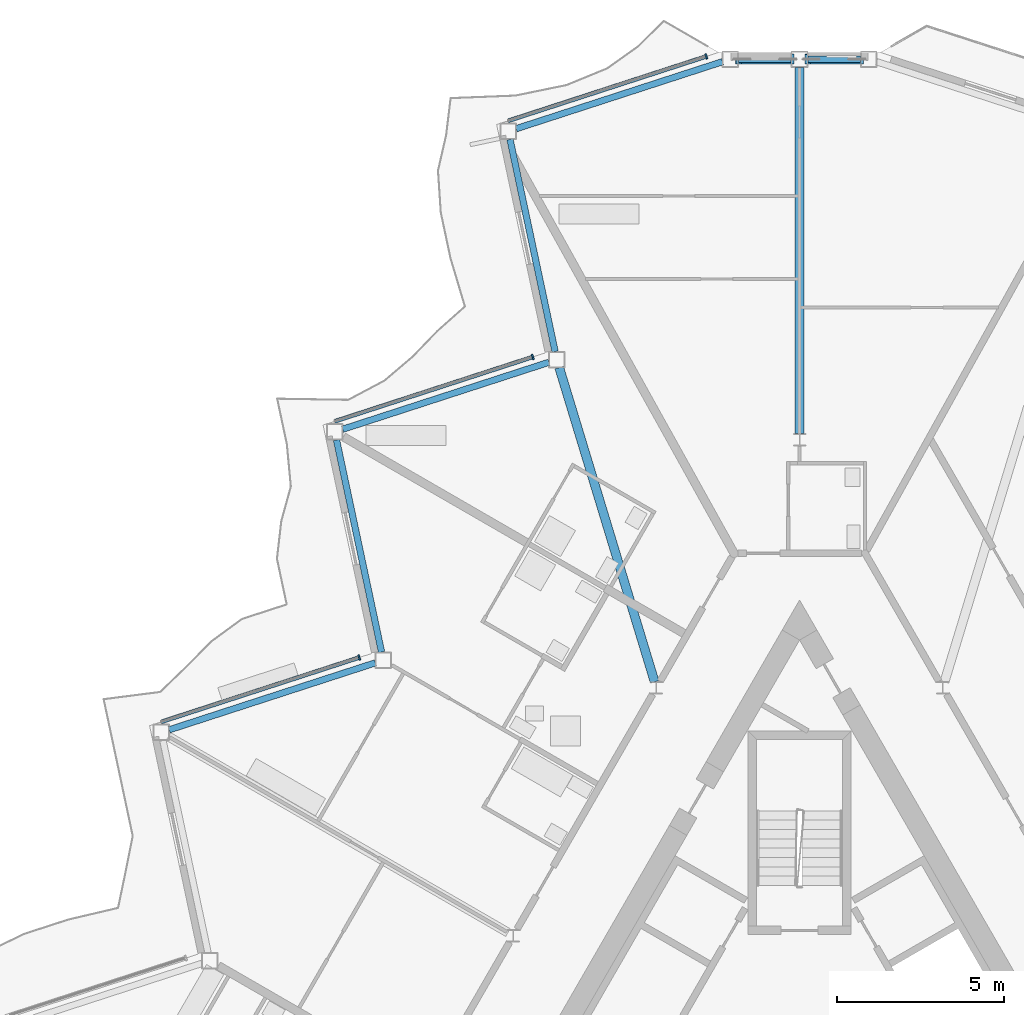
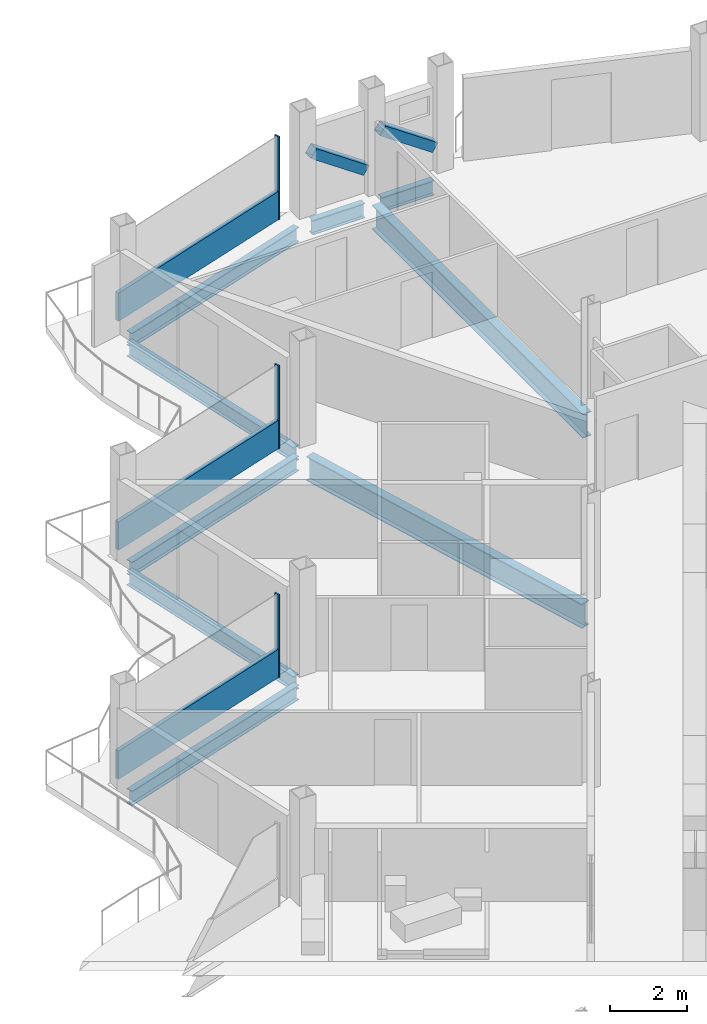
# One storey, part 9 of 26: 9 beams, 8 members, 3 elements without a shape of their own.
"""IFC4 building model written with IfcOpenShell, lengths in metres."""

from ifc_helpers import new_model, si_unit, direction, frame, origin, origin_2d, place, context, subcontext, project, spatial, rectangle, hollow_rectangle, i_section, extrude, material, layer, layer_set, material_profile, profile_set, type_object, element, aggregate, save


model = new_model("IFC4")

# Units and contexts
model_context = context("Model", 3, precision=1e-05, world=origin(), true_north=direction((0.0, 1.0)))
body_context = subcontext(model_context, "Body", "Model", "MODEL_VIEW")
ifc_project = project(units=[si_unit("LENGTHUNIT", "METRE"), si_unit("AREAUNIT", "SQUARE_METRE"), si_unit("VOLUMEUNIT", "CUBIC_METRE"), si_unit("PLANEANGLEUNIT", "RADIAN"), si_unit("MASSUNIT", "GRAM", prefix="KILO")], contexts=[model_context])

# Site, building, storey
site_placement = place(None, origin())
site = spatial("IfcSite", under=ifc_project, at=site_placement, CompositionType="ELEMENT")
building_placement = place(site_placement, origin())
building = spatial("IfcBuilding", under=site, at=building_placement, Name="Cormorant Prow Tower", CompositionType="ELEMENT")
storey_placement = place(building_placement, frame((0.0, 0.0, 388.199951171875)))
storey = spatial("IfcBuildingStorey", under=building, at=storey_placement, Name="L88", CompositionType="ELEMENT", Elevation=388.199951171875)

# Members
ifc_material_1 = material(Name="Structural steel ASTM A500 Gr C", Category="steel")
ifc_material_profile_1 = material_profile(ifc_material_1, hollow_rectangle(XDim=0.3046875, YDim=0.3046875, WallThickness=0.01171875, at=origin_2d()), Name="HSS12x12x1/2")
ifc_profile_set_1 = profile_set([ifc_material_profile_1], Name="Structural steel ASTM A500 Gr C")
member_type_1 = type_object("IfcMemberType", Name="Chamfer brace HSS12x12x1/2", PredefinedType="BRACE", material=ifc_profile_set_1)
for number, where, z_axis, x_axis, name in (
    (1, (1.8271484375, 31.219482421875, 0.770751953125), (-0.822567143358, 0.0, 0.56866800039), (0.0, -1.0, 0.0), "Chamfer brace BR3 at N00 L88"),
    (2, (-0.246826171875, 31.219482421875, 0.770751953125), (-0.822567143358, 0.0, 0.56866800039), (0.0, -1.0, 0.0), "Chamfer brace BR3 at N01 L88"),
):
    element("IfcMember", number, at=place(storey_placement, frame(where, z_axis=z_axis, x_axis=x_axis)), inside=storey, type_object=member_type_1, Name=name, PredefinedType="BRACE", context=body_context, shape_type="SweptSolid", body=[
        extrude(hollow_rectangle(XDim=0.3046875, YDim=0.3046875, WallThickness=0.01171875, at=origin_2d()), origin(), (0.0, 0.0, 1.0), 1.921142578125),
    ])

# Beams
ifc_material_2 = material(Name="Structural steel ASTM A992 Gr 50", Category="steel")
ifc_material_profile_2 = material_profile(ifc_material_2, i_section(OverallWidth=0.267822265625, OverallDepth=0.77001953125, WebThickness=0.015625, FlangeThickness=0.025390625, at=origin_2d()), Name="W30x132")
ifc_profile_set_2 = profile_set([ifc_material_profile_2], Name="Structural steel ASTM A992 Gr 50")
beam_type_1 = type_object("IfcBeamType", Name="Radial floor beam W30x132", PredefinedType="BEAM", material=ifc_profile_set_2)
beam_1_placement = place(storey_placement, frame((0.0, 19.998046875, -0.684814453125), z_axis=(0.0, 1.0, 0.0), x_axis=(-1.0, 0.0, 0.0)))
element("IfcBeam", 3, at=beam_1_placement, inside=storey, type_object=beam_type_1, Name="Radial floor beam FB3 1 L88", PredefinedType="BEAM", context=body_context, shape_type="SweptSolid", body=[
    extrude(i_section(OverallWidth=0.267822265625, OverallDepth=0.77001953125, WebThickness=0.015625, FlangeThickness=0.025390625, at=origin_2d()), origin(), (0.0, 0.0, 1.0), 10.971435546875),
])
beam_2_placement = place(storey_placement, frame((-4.343505859375, 12.560791015625, -0.684814453125), z_axis=(-0.290499864147, 0.956875033079, 0.0), x_axis=(-0.956875033079, -0.290499864147, 0.0)))
element("IfcBeam", 4, at=beam_2_placement, inside=storey, type_object=beam_type_1, Name="Radial floor beam FB3 2 L88", PredefinedType="BEAM", context=body_context, shape_type="SweptSolid", body=[
    extrude(i_section(OverallWidth=0.267822265625, OverallDepth=0.77001953125, WebThickness=0.015625, FlangeThickness=0.025390625, at=origin_2d()), origin(), (0.0, 0.0, 1.0), 9.837158203125),
])

# Curtain wall, member
ifc_material_3 = material(Name="Aluminium 6063-T6", Category="aluminium")
ifc_layer = layer(ifc_material_3, 0.159912109375)
ifc_layer_set = layer_set([ifc_layer], Name="Aluminium 6063-T6")
curtain_wall_type = type_object("IfcCurtainWallType", Name="Residential unitised curtain wall 160", PredefinedType="NOTDEFINED", material=ifc_layer_set)
curtain_wall_1_placement = place(storey_placement, origin())
curtain_wall_1 = element("IfcCurtainWall", 5, at=curtain_wall_1_placement, inside=storey, type_object=curtain_wall_type, Name="Residential curtain wall WNW00", PredefinedType="NOTDEFINED")
ifc_material_4 = material(Name="Aluminium 6063-T6", Category="aluminium")
ifc_material_profile_3 = material_profile(ifc_material_4, rectangle(XDim=0.159912109375, YDim=0.050048828125, at=origin_2d()), Name="Residential mullion 50x160")
ifc_profile_set_3 = profile_set([ifc_material_profile_3], Name="Aluminium 6063-T6")
member_type_2 = type_object("IfcMemberType", Name="Residential mullion 50x160", PredefinedType="MULLION", material=ifc_profile_set_3)
member_1_placement = place(storey_placement, frame((-2.79541015625, 31.30078125, 0.0), z_axis=(0.0, 0.0, 1.0), x_axis=(0.309017024369, -0.951056506549, 0.0)))
member_1 = element("IfcMember", 6, at=member_1_placement, type_object=member_type_2, Name="Residential mullion WNW00", PredefinedType="MULLION", context=body_context, shape_type="SweptSolid", body=[
    extrude(rectangle(XDim=0.159912109375, YDim=0.050048828125, at=origin_2d()), origin(), (0.0, 0.0, 1.0), 2.634033203125),
])

curtain_wall_2_placement = place(storey_placement, origin())
curtain_wall_2 = element("IfcCurtainWall", 7, at=curtain_wall_2_placement, inside=storey, type_object=curtain_wall_type, Name="Residential curtain wall WNW02", PredefinedType="NOTDEFINED")
member_2_placement = place(storey_placement, frame((-7.995361328125, 22.2939453125, 0.0), z_axis=(0.0, 0.0, 1.0), x_axis=(0.309017024369, -0.951056506549, 0.0)))
member_2 = element("IfcMember", 8, at=member_2_placement, type_object=member_type_2, Name="Residential mullion WNW02", PredefinedType="MULLION", context=body_context, shape_type="SweptSolid", body=[
    extrude(rectangle(XDim=0.159912109375, YDim=0.050048828125, at=origin_2d()), origin(), (0.0, 0.0, 1.0), 2.634033203125),
])

curtain_wall_3_placement = place(storey_placement, origin())
curtain_wall_3 = element("IfcCurtainWall", 9, at=curtain_wall_3_placement, inside=storey, type_object=curtain_wall_type, Name="Residential curtain wall WNW04", PredefinedType="NOTDEFINED")
member_3_placement = place(storey_placement, frame((-13.195556640625, 13.287353515625, 0.0), z_axis=(0.0, 0.0, 1.0), x_axis=(0.309016895096, -0.951056548553, 0.0)))
member_3 = element("IfcMember", 10, at=member_3_placement, type_object=member_type_2, Name="Residential mullion WNW04", PredefinedType="MULLION", context=body_context, shape_type="SweptSolid", body=[
    extrude(rectangle(XDim=0.159912109375, YDim=0.050048828125, at=origin_2d()), origin(), (0.0, 0.0, 1.0), 2.634033203125),
])

# Member
ifc_material_5 = material(Name="Terracotta", Category="masonry")
ifc_material_profile_4 = material_profile(ifc_material_5, rectangle(XDim=0.1201171875, YDim=0.89990234375, at=origin_2d()), Name="Residential terracotta spandrel rail 120x900")
ifc_profile_set_4 = profile_set([ifc_material_profile_4], Name="Terracotta")
member_type_3 = type_object("IfcMemberType", Name="Residential terracotta spandrel rail 120x900", PredefinedType="USERDEFINED", material=ifc_profile_set_4)
member_4_placement = place(storey_placement, frame((-2.8193359375, 31.29296875, 0.449951171875), z_axis=(-0.951056004715, -0.309018568854, 0.0), x_axis=(0.309018568854, -0.951056004715, 0.0)))
member_4 = element("IfcMember", 11, at=member_4_placement, type_object=member_type_3, Name="Residential spandrel rail WNW00", ObjectType="TRANSOM", PredefinedType="USERDEFINED", context=body_context, shape_type="SweptSolid", body=[
    extrude(rectangle(XDim=0.1201171875, YDim=0.89990234375, at=origin_2d()), origin(), (0.0, 0.0, 1.0), 6.21533203125),
])

aggregate(curtain_wall_1, [member_1, member_4])

member_5_placement = place(storey_placement, frame((-8.019287109375, 22.286376953125, 0.449951171875), z_axis=(-0.951056004715, -0.309018568854, 0.0), x_axis=(0.309018568854, -0.951056004715, 0.0)))
member_5 = element("IfcMember", 12, at=member_5_placement, type_object=member_type_3, Name="Residential spandrel rail WNW02", ObjectType="TRANSOM", PredefinedType="USERDEFINED", context=body_context, shape_type="SweptSolid", body=[
    extrude(rectangle(XDim=0.1201171875, YDim=0.89990234375, at=origin_2d()), origin(), (0.0, 0.0, 1.0), 6.21533203125),
])

aggregate(curtain_wall_2, [member_2, member_5])

member_6_placement = place(storey_placement, frame((-13.21923828125, 13.279541015625, 0.449951171875), z_axis=(-0.951056004715, -0.309018568854, 0.0), x_axis=(0.309018568854, -0.951056004715, 0.0)))
member_6 = element("IfcMember", 13, at=member_6_placement, type_object=member_type_3, Name="Residential spandrel rail WNW04", ObjectType="TRANSOM", PredefinedType="USERDEFINED", context=body_context, shape_type="SweptSolid", body=[
    extrude(rectangle(XDim=0.1201171875, YDim=0.89990234375, at=origin_2d()), origin(), (0.0, 0.0, 1.0), 6.21533203125),
])

aggregate(curtain_wall_3, [member_3, member_6])

# Beams
ifc_material_6 = material(Name="Structural steel ASTM A992 Gr 50", Category="steel")
ifc_material_profile_5 = material_profile(ifc_material_6, i_section(OverallWidth=0.19287109375, OverallDepth=0.466064453125, WebThickness=0.011474609375, FlangeThickness=0.01904296875, at=origin_2d()), Name="W18x65")
ifc_profile_set_5 = profile_set([ifc_material_profile_5], Name="Structural steel ASTM A992 Gr 50")
beam_type_2 = type_object("IfcBeamType", Name="Spandrel beam W18x65", PredefinedType="SPANDREL", material=ifc_profile_set_5)
for number, where, z_axis, x_axis, name in (
    (14, (1.82373046875, 31.219482421875, -0.532958984375), (-1.0, 0.0, 0.0), (0.0, -1.0, 0.0), "Spandrel beam SB4 N00-N01 L88"),
    (15, (-0.25, 31.219482421875, -0.532958984375), (-1.0, 0.0, 0.0), (0.0, -1.0, 0.0), "Spandrel beam SB4 N01-WNW00 L88"),
):
    element("IfcBeam", number, at=place(storey_placement, frame(where, z_axis=z_axis, x_axis=x_axis)), inside=storey, type_object=beam_type_2, Name=name, PredefinedType="SPANDREL", context=body_context, shape_type="SweptSolid", body=[
        extrude(i_section(OverallWidth=0.19287109375, OverallDepth=0.466064453125, WebThickness=0.011474609375, FlangeThickness=0.01904296875, at=origin_2d()), origin(), (0.0, 0.0, 1.0), 1.57373046875),
    ])
for number, where, z_axis, x_axis, name in (
    (16, (-2.3115234375, 31.142333984375, -0.532958984375), (-0.951056984862, -0.30901555227, 0.0), (0.30901555227, -0.951056984862, 0.0), "Spandrel beam SB4 WNW00-WNW01 L88"),
    (17, (-8.6767578125, 28.812744140625, -0.532958984375), (0.20793784774, -0.978142040543, 0.0), (0.978142040543, 0.20793784774, 0.0), "Spandrel beam SB4 WNW01-WNW02 L88"),
):
    element("IfcBeam", number, at=place(storey_placement, frame(where, z_axis=z_axis, x_axis=x_axis)), inside=storey, type_object=beam_type_2, Name=name, PredefinedType="SPANDREL", context=body_context, shape_type="SweptSolid", body=[
        extrude(i_section(OverallWidth=0.19287109375, OverallDepth=0.466064453125, WebThickness=0.011474609375, FlangeThickness=0.01904296875, at=origin_2d()), origin(), (0.0, 0.0, 1.0), 6.49755859375),
    ])
beam_3_placement = place(storey_placement, frame((-7.511474609375, 22.135498046875, -0.532958984375), z_axis=(-0.951068027308, -0.308981564875, 0.0), x_axis=(0.308981564875, -0.951068027308, 0.0)))
element("IfcBeam", 18, at=beam_3_placement, inside=storey, type_object=beam_type_2, Name="Spandrel beam SB4 WNW02-WNW03 L88", PredefinedType="SPANDREL", context=body_context, shape_type="SweptSolid", body=[
    extrude(i_section(OverallWidth=0.19287109375, OverallDepth=0.466064453125, WebThickness=0.011474609375, FlangeThickness=0.01904296875, at=origin_2d()), origin(), (0.0, 0.0, 1.0), 6.497314453125),
])
beam_4_placement = place(storey_placement, frame((-13.876708984375, 19.80615234375, -0.532958984375), z_axis=(0.207901897373, -0.978149682344, 0.0), x_axis=(0.978149682344, 0.207901897373, 0.0)))
element("IfcBeam", 19, at=beam_4_placement, inside=storey, type_object=beam_type_2, Name="Spandrel beam SB4 WNW03-WNW04 L88", PredefinedType="SPANDREL", context=body_context, shape_type="SweptSolid", body=[
    extrude(i_section(OverallWidth=0.19287109375, OverallDepth=0.466064453125, WebThickness=0.011474609375, FlangeThickness=0.01904296875, at=origin_2d()), origin(), (0.0, 0.0, 1.0), 6.49755859375),
])
beam_5_placement = place(storey_placement, frame((-12.711669921875, 13.12890625, -0.532958984375), z_axis=(-0.951053396625, -0.309026595569, 0.0), x_axis=(0.309026595569, -0.951053396625, 0.0)))
element("IfcBeam", 20, at=beam_5_placement, inside=storey, type_object=beam_type_2, Name="Spandrel beam SB4 WNW04-WNW05 L88", PredefinedType="SPANDREL", context=body_context, shape_type="SweptSolid", body=[
    extrude(i_section(OverallWidth=0.19287109375, OverallDepth=0.466064453125, WebThickness=0.011474609375, FlangeThickness=0.01904296875, at=origin_2d()), origin(), (0.0, 0.0, 1.0), 6.497314453125),
])

save(model, "model.ifc")
